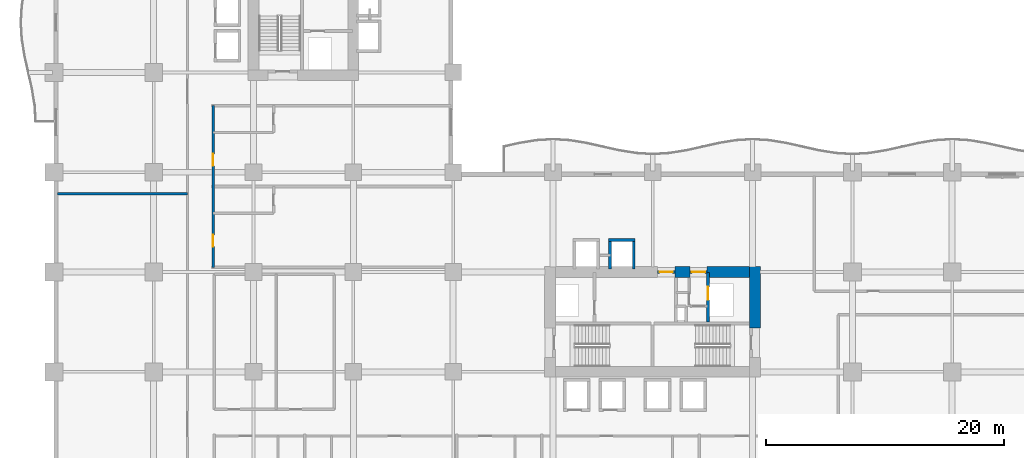
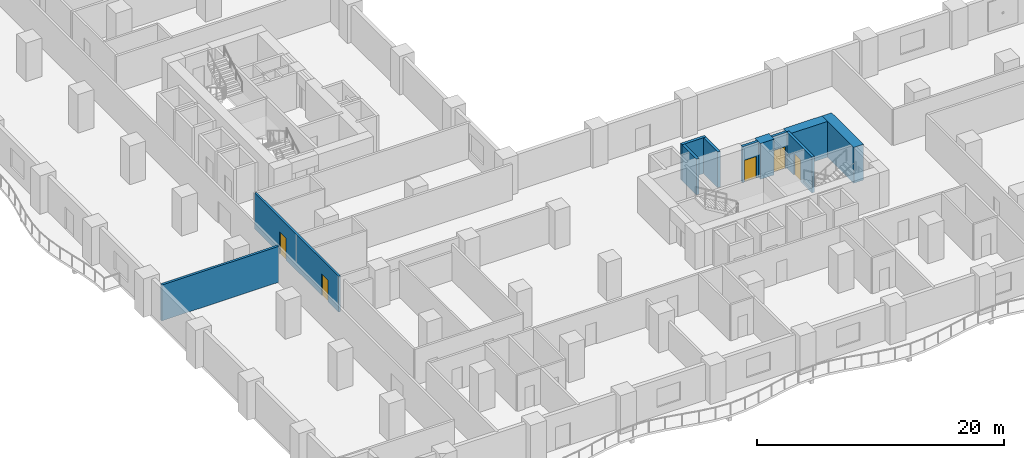
# One storey, part 10 of 22: 11 walls, 5 doors, 5 openings.
"""IFC4 building model written with IfcOpenShell, lengths in metres."""

from ifc_helpers import new_model, si_unit, direction, frame, frame_2d, origin, place, context, subcontext, project, spatial, rectangle, extrude, material, layer, layer_set, type_object, element, fill, save


model = new_model("IFC4")

# Units and contexts
model_context = context("Model", 3, precision=1e-05, world=origin(), true_north=direction((0.0, 1.0)))
body_context = subcontext(model_context, "Body", "Model", "MODEL_VIEW")
ifc_project = project(units=[si_unit("LENGTHUNIT", "METRE"), si_unit("AREAUNIT", "SQUARE_METRE"), si_unit("VOLUMEUNIT", "CUBIC_METRE"), si_unit("PLANEANGLEUNIT", "RADIAN"), si_unit("MASSUNIT", "GRAM", prefix="KILO")], contexts=[model_context])

# Site, building, storey
site_placement = place(None, origin())
site = spatial("IfcSite", under=ifc_project, at=site_placement, CompositionType="ELEMENT")
building_placement = place(site_placement, origin())
building = spatial("IfcBuilding", under=site, at=building_placement, Name="Koriwani Terraces Tower", CompositionType="ELEMENT")
storey_placement = place(building_placement, frame((0.0, 0.0, 62.39990234375)))
storey = spatial("IfcBuildingStorey", under=building, at=storey_placement, Name="L14", CompositionType="ELEMENT", Elevation=62.39990234375)

# Walls
ifc_material_1 = material(Name="Concrete C60/75", Category="concrete")
ifc_layer_1 = layer(ifc_material_1, 0.89990234375, Name="Concrete C60/75")
ifc_layer_set_1 = layer_set([ifc_layer_1], Name="Concrete C60/75")
wall_type_1 = type_object("IfcWallType", Name="WALL_CORE_RC_900", PredefinedType="SHEAR", material=ifc_layer_set_1)
wall_1_placement = place(storey_placement, frame((59.0, 20.5, 0.0), z_axis=(0.0, 0.0, 1.0), x_axis=(0.0, 1.0, 0.0)))
element("IfcWall", 1, at=wall_1_placement, inside=storey, type_object=wall_type_1, Name="L14 East Split Core Shear Wall E2", PredefinedType="SHEAR", context=body_context, shape_type="SweptSolid", body=[
    extrude(rectangle(XDim=5.14990234375, YDim=0.89990234375, at=frame_2d((2.574951171875, 0.0))), origin(), (0.0, 0.0, 1.0), 3.550048828125),
])
wall_2_placement = place(storey_placement, frame((52.280029296875, 25.199951171875, 0.0), z_axis=(0.0, 0.0, 1.0), x_axis=(1.0, 0.0, 0.0)))
element("IfcWall", 2, at=wall_2_placement, inside=storey, type_object=wall_type_1, Name="L14 East Split Core Shear Wall N2", PredefinedType="SHEAR", context=body_context, shape_type="SweptSolid", body=[
    extrude(rectangle(XDim=1.27001953125, YDim=0.89990234375, at=frame_2d((0.635009765625, 0.0))), origin(), (0.0, 0.0, 1.0), 3.550048828125),
])
wall_3_placement = place(storey_placement, frame((54.949951171875, 25.199951171875, 0.0), z_axis=(0.0, 0.0, 1.0), x_axis=(1.0, 0.0, 0.0)))
element("IfcWall", 3, at=wall_3_placement, inside=storey, type_object=wall_type_1, Name="L14 East Split Core Shear Wall N3", PredefinedType="SHEAR", context=body_context, shape_type="SweptSolid", body=[
    extrude(rectangle(XDim=3.60009765625, YDim=0.89990234375, at=frame_2d((1.800048828125, 0.0))), origin(), (0.0, 0.0, 1.0), 3.550048828125),
])

# Wall, openings, doors
ifc_material_2 = material(Name="Autoclaved Cellular Concrete Blockwork", Category="masonry")
ifc_layer_2 = layer(ifc_material_2, 0.199951171875, Name="Autoclaved Cellular Concrete Blockwork")
ifc_layer_set_2 = layer_set([ifc_layer_2], Name="Autoclaved Cellular Concrete Blockwork")
wall_type_2 = type_object("IfcWallType", Name="WALL_CORRIDOR_200", PredefinedType="PARTITIONING", material=ifc_layer_set_2)
wall_4_placement = place(storey_placement, frame((13.39990234375, 25.60009765625, 0.0), z_axis=(0.0, 0.0, 1.0), x_axis=(0.0, 1.0, 0.0)))
wall_4 = element("IfcWall", 4, at=wall_4_placement, inside=storey, type_object=wall_type_2, Name="L14 Interior Wall WCOR-L14-NWI-0", PredefinedType="PARTITIONING", context=body_context, shape_type="SweptSolid", body=[
    extrude(rectangle(XDim=13.599853515625, YDim=0.199951171875, at=frame_2d((6.7998046875, 0.0))), origin(), (0.0, 0.0, 1.0), 3.550048828125),
])
opening_1_placement = place(wall_4_placement, frame((1.735107421875, 0.0, 0.0)))
opening_1 = element("IfcOpeningElement", 5, at=opening_1_placement, cuts=wall_4, Name="Opening D-05", PredefinedType="OPENING", context=body_context, shape_type="SweptSolid", body=[
    extrude(rectangle(XDim=1.0, YDim=2.14990234375, at=frame_2d((0.5, 1.074951171875))), frame((0.0, 0.10986328125, 0.0), z_axis=(0.0, -1.0, 0.0), x_axis=(1.0, 0.0, 0.0)), (0.0, 0.0, 1.0), 0.219970703125),
])
opening_2_placement = place(wall_4_placement, frame((8.534912109375, 0.0, 0.0)))
opening_2 = element("IfcOpeningElement", 6, at=opening_2_placement, cuts=wall_4, Name="Opening D-05", PredefinedType="OPENING", context=body_context, shape_type="SweptSolid", body=[
    extrude(rectangle(XDim=1.0, YDim=2.14990234375, at=frame_2d((0.5, 1.074951171875))), frame((0.0, 0.10986328125, 0.0), z_axis=(0.0, -1.0, 0.0), x_axis=(1.0, 0.0, 0.0)), (0.0, 0.0, 1.0), 0.219970703125),
])
ifc_material_3 = material(Name="Architectural Oak Fire Door", Category="wood")
door_type_1 = type_object("IfcDoorType", Name="DOOR_SUITE_ENTRY_1000X2150", OperationType="NOTDEFINED", PredefinedType="DOOR", material=ifc_material_3)
door_1_placement = place(opening_1_placement, origin())
door_1 = element("IfcDoor", 7, at=door_1_placement, inside=storey, type_object=door_type_1, Name="Luxury Hotel Suite 14NWI1 Entrance Door", OperationType="SINGLE_SWING_RIGHT", OverallHeight=2.14990234375, OverallWidth=1.0, PredefinedType="DOOR", context=body_context, shape_type="SweptSolid", body=[
    extrude(rectangle(XDim=1.0, YDim=2.14990234375, at=frame_2d((0.5, 1.074951171875))), frame((0.0, 0.02490234375, 0.0), z_axis=(0.0, -1.0, 0.0), x_axis=(1.0, 0.0, 0.0)), (0.0, 0.0, 1.0), 0.050048828125),
])
fill(opening_1, door_1)
door_2_placement = place(opening_2_placement, origin())
door_2 = element("IfcDoor", 8, at=door_2_placement, inside=storey, type_object=door_type_1, Name="Luxury Hotel Suite 14NWI2 Entrance Door", OperationType="SINGLE_SWING_RIGHT", OverallHeight=2.14990234375, OverallWidth=1.0, PredefinedType="DOOR", context=body_context, shape_type="SweptSolid", body=[
    extrude(rectangle(XDim=1.0, YDim=2.14990234375, at=frame_2d((0.5, 1.074951171875))), frame((0.0, 0.02490234375, 0.0), z_axis=(0.0, -1.0, 0.0), x_axis=(1.0, 0.0, 0.0)), (0.0, 0.0, 1.0), 0.050048828125),
])
fill(opening_2, door_2)

# Wall
ifc_layer_3 = layer(ifc_material_2, 0.219970703125, Name="Autoclaved Cellular Concrete Blockwork")
ifc_layer_set_3 = layer_set([ifc_layer_3], Name="Autoclaved Cellular Concrete Blockwork")
wall_type_3 = type_object("IfcWallType", Name="WALL_DEMISING_220", PredefinedType="PARTITIONING", material=ifc_layer_set_3)
wall_5_placement = place(storey_placement, frame((0.300048828125, 31.800048828125, 0.0), z_axis=(0.0, 0.0, 1.0), x_axis=(1.0, 0.0, 0.0)))
element("IfcWall", 9, at=wall_5_placement, inside=storey, type_object=wall_type_3, Name="L14 Interior Wall WZ1NWCLM-L14", PredefinedType="PARTITIONING", context=body_context, shape_type="SweptSolid", body=[
    extrude(rectangle(XDim=10.949951171875, YDim=0.219970703125, at=frame_2d((5.47509765625, 0.0))), origin(), (0.0, 0.0, 1.0), 3.550048828125),
])

# Wall, opening, door
ifc_material_4 = material(Name="Concrete C40/50", Category="concrete")
ifc_layer_4 = layer(ifc_material_4, 0.25, Name="Concrete C40/50")
ifc_layer_set_4 = layer_set([ifc_layer_4], Name="Concrete C40/50")
wall_type_4 = type_object("IfcWallType", Name="WALL_SHAFT_RATED_250", PredefinedType="SOLIDWALL", material=ifc_layer_set_4)
wall_6_placement = place(storey_placement, frame((50.800048828125, 25.199951171875, 0.0), z_axis=(0.0, 0.0, 1.0), x_axis=(1.0, 0.0, 0.0)))
wall_6 = element("IfcWall", 10, at=wall_6_placement, inside=storey, type_object=wall_type_4, Name="L14 Interior Wall WIN-CE-L14-NP", PredefinedType="SOLIDWALL", context=body_context, shape_type="SweptSolid", body=[
    extrude(rectangle(XDim=1.47998046875, YDim=0.25, at=frame_2d((0.739990234375, 0.0))), origin(), (0.0, 0.0, 1.0), 3.550048828125),
])
opening_3_placement = place(wall_6_placement, frame((0.179931640625, 0.0, 0.0)))
opening_3 = element("IfcOpeningElement", 11, at=opening_3_placement, cuts=wall_6, Name="Opening D-03", PredefinedType="OPENING", context=body_context, shape_type="SweptSolid", body=[
    extrude(rectangle(XDim=1.10009765625, YDim=2.14990234375, at=frame_2d((0.550048828125, 1.074951171875))), frame((0.0, 0.135009765625, 0.0), z_axis=(0.0, -1.0, 0.0), x_axis=(1.0, 0.0, 0.0)), (0.0, 0.0, 1.0), 0.27001953125),
])
ifc_material_5 = material(Name="Steel ASTM A572 Grade 50", Category="steel")
door_type_2 = type_object("IfcDoorType", Name="DOOR_STAIR_FIRE_1100X2150", OperationType="NOTDEFINED", PredefinedType="DOOR", material=ifc_material_5)
door_3_placement = place(opening_3_placement, origin())
door_3 = element("IfcDoor", 12, at=door_3_placement, inside=storey, type_object=door_type_2, Name="L14 East Firefighting Lobby Door", OperationType="SINGLE_SWING_LEFT", OverallHeight=2.14990234375, OverallWidth=1.10009765625, PredefinedType="DOOR", context=body_context, shape_type="SweptSolid", body=[
    extrude(rectangle(XDim=1.10009765625, YDim=2.14990234375, at=frame_2d((0.550048828125, 1.074951171875))), frame((0.0, 0.02490234375, 0.0), z_axis=(0.0, -1.0, 0.0), x_axis=(1.0, 0.0, 0.0)), (0.0, 0.0, 1.0), 0.050048828125),
])
fill(opening_3, door_3)

wall_7_placement = place(storey_placement, frame((55.050048828125, 21.0, 0.0), z_axis=(0.0, 0.0, 1.0), x_axis=(0.0, 1.0, 0.0)))
wall_7 = element("IfcWall", 13, at=wall_7_placement, inside=storey, type_object=wall_type_4, Name="L14 Interior Wall WIN-CE-L14-SE", PredefinedType="SOLIDWALL", context=body_context, shape_type="SweptSolid", body=[
    extrude(rectangle(XDim=4.14990234375, YDim=0.25, at=frame_2d((2.074951171875, 0.0))), origin(), (0.0, 0.0, 1.0), 3.550048828125),
])
opening_4_placement = place(wall_7_placement, frame((1.85009765625, 0.0, 0.0)))
opening_4 = element("IfcOpeningElement", 14, at=opening_4_placement, cuts=wall_7, Name="Opening LD-01", PredefinedType="OPENING", context=body_context, shape_type="SweptSolid", body=[
    extrude(rectangle(XDim=1.10009765625, YDim=2.14990234375, at=frame_2d((0.550048828125, 1.074951171875))), frame((0.0, 0.135009765625, 0.0), z_axis=(0.0, -1.0, 0.0), x_axis=(1.0, 0.0, 0.0)), (0.0, 0.0, 1.0), 0.27001953125),
])
door_type_3 = type_object("IfcDoorType", Name="DOOR_LIFT_LANDING_1100X2200", OperationType="NOTDEFINED", PredefinedType="DOOR", material=ifc_material_5)
door_4_placement = place(opening_4_placement, origin())
door_4 = element("IfcDoor", 15, at=door_4_placement, inside=storey, type_object=door_type_3, Name="L14 Goods Lift SE-02 Landing Door", OperationType="SLIDING_TO_LEFT", OverallHeight=2.14990234375, OverallWidth=1.10009765625, PredefinedType="DOOR", context=body_context, shape_type="SweptSolid", body=[
    extrude(rectangle(XDim=1.10009765625, YDim=2.14990234375, at=frame_2d((0.550048828125, 1.074951171875))), frame((0.0, 0.02490234375, 0.0), z_axis=(0.0, -1.0, 0.0), x_axis=(1.0, 0.0, 0.0)), (0.0, 0.0, 1.0), 0.050048828125),
])
fill(opening_4, door_4)

wall_8_placement = place(storey_placement, frame((53.550048828125, 25.199951171875, 0.0), z_axis=(0.0, 0.0, 1.0), x_axis=(1.0, 0.0, 0.0)))
wall_8 = element("IfcWall", 16, at=wall_8_placement, inside=storey, type_object=wall_type_4, Name="L14 Interior Wall WIN-CE-L14-NP2", PredefinedType="SOLIDWALL", context=body_context, shape_type="SweptSolid", body=[
    extrude(rectangle(XDim=1.39990234375, YDim=0.25, at=frame_2d((0.699951171875, 0.0))), origin(), (0.0, 0.0, 1.0), 3.550048828125),
])
opening_5_placement = place(wall_8_placement, frame((0.14990234375, 0.0, 0.0)))
opening_5 = element("IfcOpeningElement", 17, at=opening_5_placement, cuts=wall_8, Name="Opening D-03", PredefinedType="OPENING", context=body_context, shape_type="SweptSolid", body=[
    extrude(rectangle(XDim=1.10009765625, YDim=2.14990234375, at=frame_2d((0.550048828125, 1.074951171875))), frame((0.0, 0.135009765625, 0.0), z_axis=(0.0, -1.0, 0.0), x_axis=(1.0, 0.0, 0.0)), (0.0, 0.0, 1.0), 0.27001953125),
])
door_5_placement = place(opening_5_placement, origin())
door_5 = element("IfcDoor", 18, at=door_5_placement, inside=storey, type_object=door_type_2, Name="L14 East Goods Lift Lobby Door", OperationType="SINGLE_SWING_RIGHT", OverallHeight=2.14990234375, OverallWidth=1.10009765625, PredefinedType="DOOR", context=body_context, shape_type="SweptSolid", body=[
    extrude(rectangle(XDim=1.10009765625, YDim=2.14990234375, at=frame_2d((0.550048828125, 1.074951171875))), frame((0.0, 0.02490234375, 0.0), z_axis=(0.0, -1.0, 0.0), x_axis=(1.0, 0.0, 0.0)), (0.0, 0.0, 1.0), 0.050048828125),
])
fill(opening_5, door_5)

# Walls
wall_9_placement = place(storey_placement, frame((46.675048828125, 27.89990234375, 0.0), z_axis=(0.0, 0.0, 1.0), x_axis=(1.0, 0.0, 0.0)))
element("IfcWall", 19, at=wall_9_placement, inside=storey, type_object=wall_type_4, Name="L14 Interior Wall WIN-LF-PE-H4-L14-F", PredefinedType="SOLIDWALL", context=body_context, shape_type="SweptSolid", body=[
    extrude(rectangle(XDim=2.25, YDim=0.25, at=frame_2d((1.125, 0.0))), origin(), (0.0, 0.0, 1.0), 3.550048828125),
])
for number, where, z_axis, x_axis, name in (
    (20, (46.800048828125, 25.449951171875, 0.0), (0.0, 0.0, 1.0), (0.0, 1.0, 0.0), "L14 Interior Wall WIN-LF-PE-H4-L14-W"),
    (21, (48.800048828125, 25.449951171875, 0.0), (0.0, 0.0, 1.0), (0.0, 1.0, 0.0), "L14 Interior Wall WIN-LF-PE-H4-L14-E"),
):
    element("IfcWall", number, at=place(storey_placement, frame(where, z_axis=z_axis, x_axis=x_axis)), inside=storey, type_object=wall_type_4, Name=name, PredefinedType="SOLIDWALL", context=body_context, shape_type="SweptSolid", body=[
        extrude(rectangle(XDim=2.324951171875, YDim=0.25, at=frame_2d((1.16259765625, 0.0))), origin(), (0.0, 0.0, 1.0), 3.550048828125),
    ])

save(model, "model.ifc")
